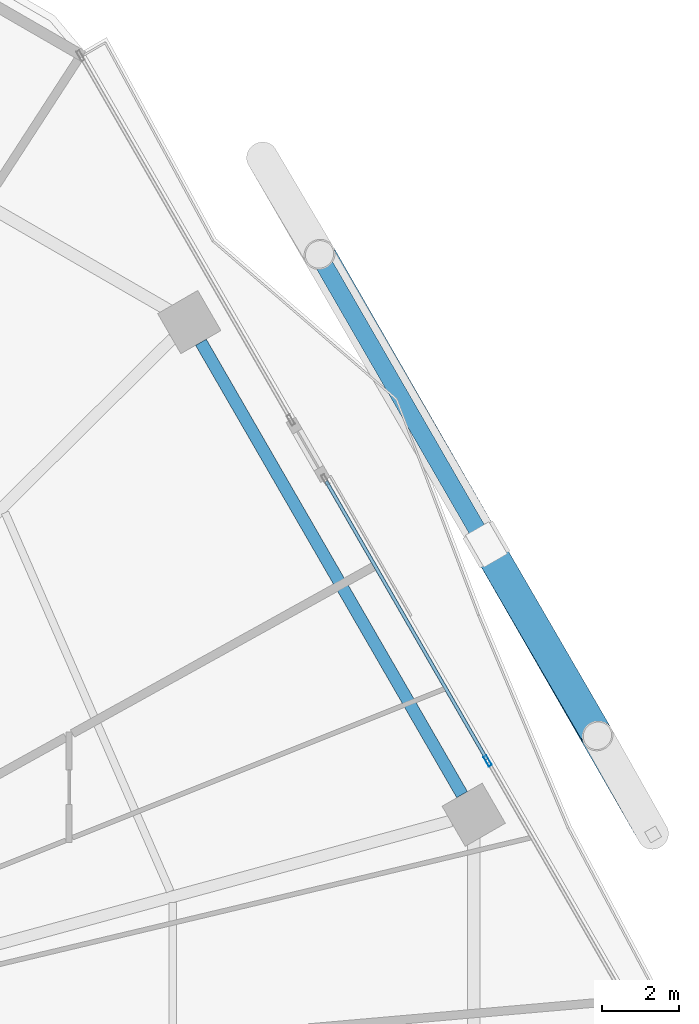
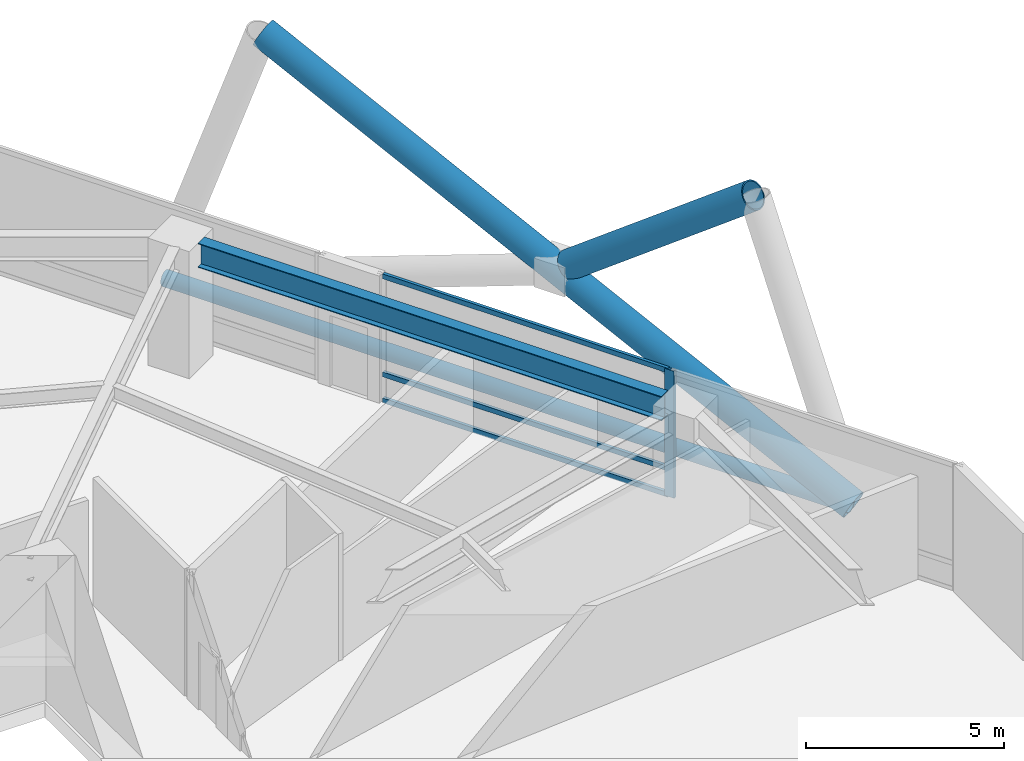
# One storey, part 19 of 31: 7 members, 1 beam, 1 element without a shape of its own.
"""IFC4 building model written with IfcOpenShell, lengths in metres."""

from ifc_helpers import new_model, si_unit, direction, frame, origin, origin_2d, place, context, subcontext, project, spatial, hollow_rectangle, hollow_circle, i_section, extrude, material, material_profile, profile_set, type_object, element, aggregate, save


model = new_model("IFC4")

# Units and contexts
model_context = context("Model", 3, precision=1e-05, world=origin(), true_north=direction((0.0, 1.0)))
body_context = subcontext(model_context, "Body", "Model", "MODEL_VIEW")
ifc_project = project(units=[si_unit("LENGTHUNIT", "METRE"), si_unit("AREAUNIT", "SQUARE_METRE"), si_unit("VOLUMEUNIT", "CUBIC_METRE"), si_unit("PLANEANGLEUNIT", "RADIAN"), si_unit("MASSUNIT", "GRAM", prefix="KILO")], contexts=[model_context])

# Site, building, storey
site_placement = place(None, origin())
site = spatial("IfcSite", under=ifc_project, at=site_placement, CompositionType="ELEMENT")
building_placement = place(site_placement, origin())
building = spatial("IfcBuilding", under=site, at=building_placement, Name="Zuhravey Tower", CompositionType="ELEMENT")
storey_placement = place(building_placement, frame((0.0, 0.0, 7.800048828125)))
storey = spatial("IfcBuildingStorey", under=building, at=storey_placement, Name="L02", CompositionType="ELEMENT", Elevation=7.800048828125)

# Curtain wall, members
ifc_material_1 = material(Name="Thermally broken anodised aluminium", Category="aluminium")
curtain_wall_type = type_object("IfcCurtainWallType", Name="School Low-E Unitised Curtain Wall CW1", PredefinedType="NOTDEFINED", material=ifc_material_1)
curtain_wall_placement = place(storey_placement, origin())
curtain_wall = element("IfcCurtainWall", 1, at=curtain_wall_placement, inside=storey, type_object=curtain_wall_type, Name="L02 CW1 CW-L02-F1-2", PredefinedType="NOTDEFINED")
ifc_material_2 = material(Name="Anodised aluminium", Category="aluminium")
ifc_material_profile_1 = material_profile(ifc_material_2, hollow_rectangle(XDim=0.090087890625, YDim=0.284912109375, WallThickness=0.0048828125, at=origin_2d()), Name="ALU-RHS-90x285x5")
ifc_profile_set_1 = profile_set([ifc_material_profile_1], Name="Anodised aluminium")
member_type_1 = type_object("IfcMemberType", Name="Curtain-Wall Mullion 90x180", PredefinedType="MULLION", material=ifc_profile_set_1)
member_1_placement = place(storey_placement, frame((64.249755859375, 40.987060546875, 0.0), z_axis=(0.0, 0.0, 1.0), x_axis=(0.866025508574, 0.499999818499, 0.0)))
member_1 = element("IfcMember", 2, at=member_1_placement, type_object=member_type_1, Name="CW1 mullion 2", PredefinedType="MULLION", context=body_context, shape_type="SweptSolid", body=[
    extrude(hollow_rectangle(XDim=0.090087890625, YDim=0.284912109375, WallThickness=0.0048828125, at=origin_2d()), origin(), (0.0, 0.0, 1.0), 3.919921875),
])
ifc_material_profile_2 = material_profile(ifc_material_2, hollow_rectangle(XDim=0.090087890625, YDim=0.14990234375, WallThickness=0.0048828125, at=origin_2d()), Name="ALU-RHS-90x150x5")
ifc_profile_set_2 = profile_set([ifc_material_profile_2], Name="Anodised aluminium")
member_type_2 = type_object("IfcMemberType", Name="Curtain-Wall Transom 90x150", PredefinedType="USERDEFINED", material=ifc_profile_set_2)
member_2_placement = place(storey_placement, frame((60.06591796875, 48.233642578125, 0.044921875), z_axis=(0.499997536004, -0.866026826368, 0.0), x_axis=(0.866026826368, 0.499997536004, 0.0)))
member_2 = element("IfcMember", 3, at=member_2_placement, type_object=member_type_2, Name="CW1 transom 1.1", ObjectType="TRANSOM", PredefinedType="USERDEFINED", context=body_context, shape_type="SweptSolid", body=[
    extrude(hollow_rectangle(XDim=0.090087890625, YDim=0.14990234375, WallThickness=0.0048828125, at=origin_2d()), origin(), (0.0, 0.0, 1.0), 8.32275390625),
])
member_3_placement = place(storey_placement, frame((60.06591796875, 48.233642578125, 0.849853515625), z_axis=(0.499997536004, -0.866026826368, 0.0), x_axis=(0.866026826368, 0.499997536004, 0.0)))
member_3 = element("IfcMember", 4, at=member_3_placement, type_object=member_type_2, Name="CW1 transom 1.2", ObjectType="TRANSOM", PredefinedType="USERDEFINED", context=body_context, shape_type="SweptSolid", body=[
    extrude(hollow_rectangle(XDim=0.090087890625, YDim=0.14990234375, WallThickness=0.0048828125, at=origin_2d()), origin(), (0.0, 0.0, 1.0), 8.32275390625),
])
member_4_placement = place(storey_placement, frame((60.06591796875, 48.233642578125, 3.875), z_axis=(0.499997536004, -0.866026826368, 0.0), x_axis=(0.866026826368, 0.499997536004, 0.0)))
member_4 = element("IfcMember", 5, at=member_4_placement, type_object=member_type_2, Name="CW1 transom 1.3", ObjectType="TRANSOM", PredefinedType="USERDEFINED", context=body_context, shape_type="SweptSolid", body=[
    extrude(hollow_rectangle(XDim=0.090087890625, YDim=0.14990234375, WallThickness=0.0048828125, at=origin_2d()), origin(), (0.0, 0.0, 1.0), 8.32275390625),
])
aggregate(curtain_wall, [member_1, member_2, member_3, member_4])

# Members
ifc_material_3 = material(Name="Steel SM355", Category="steel")
ifc_material_profile_3 = material_profile(ifc_material_3, hollow_circle(Radius=0.228515625, WallThickness=0.02197265625, at=origin_2d()), Name="CHS-457.2x22")
ifc_profile_set_3 = profile_set([ifc_material_profile_3], Name="Steel SM355")
member_type_3 = type_object("IfcMemberType", Name="Exoskeleton Ring Tie CHS457x22", PredefinedType="CHORD", material=ifc_profile_set_3)
member_5_placement = place(storey_placement, frame((68.46728515625, 39.20166015625, -0.6640625), z_axis=(-0.499987058157, 0.866032875632, 0.0), x_axis=(-0.866032875632, -0.499987058157, 0.0)))
element("IfcMember", 6, at=member_5_placement, inside=storey, type_object=member_type_3, Name="L02 Exoskeleton Face 1 Tie EXR1", PredefinedType="CHORD", context=body_context, shape_type="SweptSolid", body=[
    extrude(hollow_circle(Radius=0.228515625, WallThickness=0.02197265625, at=origin_2d()), origin(), (0.0, 0.0, 1.0), 19.99365234375),
])
ifc_material_4 = material(Name="Steel SM460", Category="steel")
ifc_material_profile_4 = material_profile(ifc_material_4, hollow_circle(Radius=0.406494140625, WallThickness=0.035888671875, at=origin_2d()), Name="CHS-812.8x36")
ifc_profile_set_4 = profile_set([ifc_material_profile_4], Name="Steel SM460")
member_type_4 = type_object("IfcMemberType", Name="Exoskeleton Zone 1 Diagrid CHS813x36", PredefinedType="BRACE", material=ifc_profile_set_4)
member_6_placement = place(storey_placement, frame((68.51513671875, 39.119140625, -0.64208984375), z_axis=(-0.446851086698, 0.777067756817, 0.443271708586), x_axis=(-0.866888404651, -0.498502250629, 0.0)))
element("IfcMember", 7, at=member_6_placement, inside=storey, type_object=member_type_4, Name="L02 Face 1 Diagrid Brace 2", PredefinedType="BRACE", context=body_context, shape_type="SweptSolid", body=[
    extrude(hollow_circle(Radius=0.406494140625, WallThickness=0.035888671875, at=origin_2d()), origin(), (0.0, 0.0, 1.0), 19.234619140625),
])
member_7_placement = place(storey_placement, frame((64.377197265625, 46.31787109375, 3.858642578125), z_axis=(0.402046538201, -0.69216256255, 0.599390997701), x_axis=(0.864709897281, 0.502271633226, 0.0)))
element("IfcMember", 8, at=member_7_placement, inside=storey, type_object=member_type_4, Name="L02 Face 1 Split Diagrid Brace 3B", PredefinedType="BRACE", context=body_context, shape_type="SweptSolid", body=[
    extrude(hollow_circle(Radius=0.406494140625, WallThickness=0.035888671875, at=origin_2d()), origin(), (0.0, 0.0, 1.0), 6.702880859375),
])

# Beam
ifc_material_profile_5 = material_profile(ifc_material_3, i_section(OverallWidth=0.320068359375, OverallDepth=0.75, WebThickness=0.013916015625, FlangeThickness=0.02490234375, at=origin_2d()), Name="H-750x320x14x25")
ifc_profile_set_5 = profile_set([ifc_material_profile_5], Name="Steel SM355")
beam_type = type_object("IfcBeamType", Name="Perimeter Ring Beam H750x320", PredefinedType="BEAM", material=ifc_profile_set_5)
beam_placement = place(storey_placement, frame((63.587646484375, 40.11376953125, 3.544921875), z_axis=(-0.499999877243, 0.866025474658, 0.0), x_axis=(-0.866025474658, -0.499999877243, 0.0)))
element("IfcBeam", 9, at=beam_placement, inside=storey, type_object=beam_type, Name="L02 PB1 BM-L02-PB-01", PredefinedType="BEAM", context=body_context, shape_type="SweptSolid", body=[
    extrude(i_section(OverallWidth=0.320068359375, OverallDepth=0.75, WebThickness=0.013916015625, FlangeThickness=0.02490234375, at=origin_2d()), origin(), (0.0, 0.0, 1.0), 13.5341796875),
])

save(model, "model.ifc")
